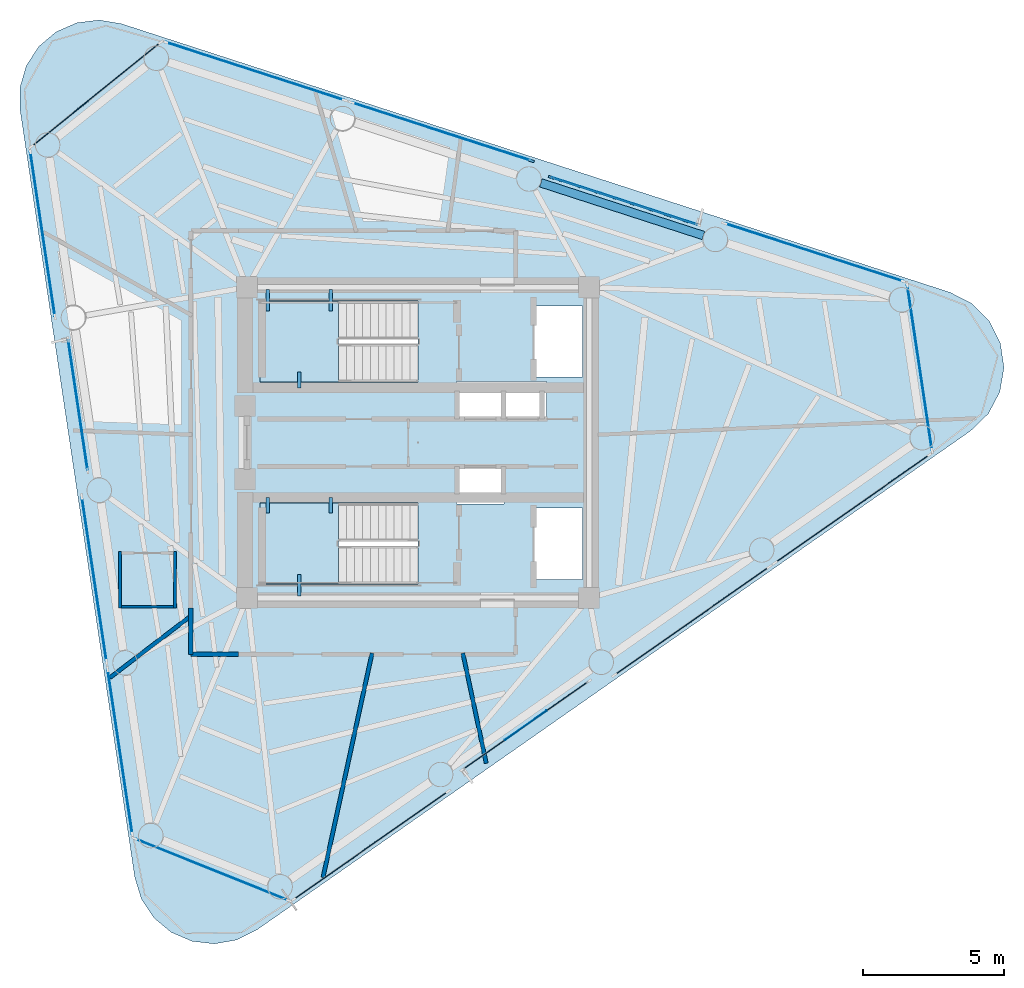
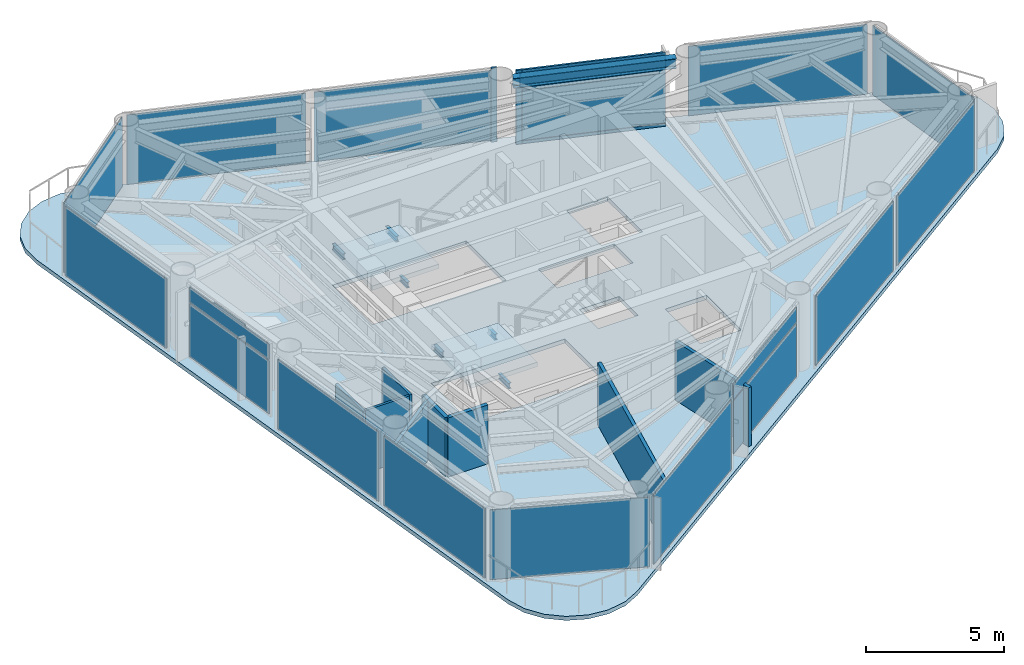
# One storey, part 4 of 9: 21 plates, 8 walls, 7 beams, 5 members, 3 slabs, 17 elements without a shape of their own.
"""IFC4 building model written with IfcOpenShell, lengths in metres."""

from ifc_helpers import new_model, si_unit, direction, frame, frame_2d, origin, origin_2d, place, context, subcontext, project, spatial, polyline, rectangle, i_section, outline, extrude, source, transform, mapped, material, layer, layer_set, material_profile, profile_set, type_object, element, aggregate, save


model = new_model("IFC4")

# Units and contexts
model_context = context("Model", 3, precision=1e-05, world=origin(), true_north=direction((0.0, 1.0)))
body_context = subcontext(model_context, "Body", "Model", "MODEL_VIEW")
ifc_project = project(units=[si_unit("LENGTHUNIT", "METRE"), si_unit("AREAUNIT", "SQUARE_METRE"), si_unit("VOLUMEUNIT", "CUBIC_METRE"), si_unit("PLANEANGLEUNIT", "RADIAN"), si_unit("MASSUNIT", "GRAM", prefix="KILO")], contexts=[model_context])

# Site, building, storey
site_placement = place(None, origin())
site = spatial("IfcSite", under=ifc_project, at=site_placement, CompositionType="ELEMENT")
building_placement = place(site_placement, origin())
building = spatial("IfcBuilding", under=site, at=building_placement, Name="Yunling Apex Tower", CompositionType="ELEMENT")
storey_placement = place(building_placement, frame((0.0, 0.0, 257.550048828125)))
storey = spatial("IfcBuildingStorey", under=building, at=storey_placement, Name="L62", CompositionType="ELEMENT", Elevation=257.550048828125)

# Beams
ifc_material_1 = material(Name="Steel Q355B", Category="steel")
ifc_material_profile_1 = material_profile(ifc_material_1, i_section(OverallWidth=0.125, OverallDepth=0.25, WebThickness=0.006103515625, FlangeThickness=0.009033203125, FilletRadius=0.011962890625, at=origin_2d()))
ifc_profile_set_1 = profile_set([ifc_material_profile_1], Name="Steel Q355B")
beam_type_1 = type_object("IfcBeamType", Name="BL-LNT-1", PredefinedType="LINTEL", material=ifc_profile_set_1)
shared_shape_1 = source(origin(), body_context, "Body", "SweptSolid", [
    extrude(i_section(OverallWidth=0.125, OverallDepth=0.25, WebThickness=0.006103515625, FlangeThickness=0.009033203125, FilletRadius=0.011962890625, at=origin_2d()), origin(), (0.0, 0.0, 1.0), 0.760009765625),
])
for number, where, z_axis, x_axis, name in (
    (1, (-5.320068359375, 5.419921875, 1.3798828125), (0.0, -1.0, 0.0), (1.0, 0.0, 0.0), "L62 ST-1 Landing Bearing Corbel 1-1"),
    (2, (-3.090087890625, 5.419921875, 1.3798828125), (0.0, -1.0, 0.0), (1.0, 0.0, 0.0), "L62 ST-1 Landing Bearing Corbel 1-2"),
    (3, (-4.205078125, -5.419921875, 1.3798828125), (0.0, 1.0, 0.0), (-1.0, 0.0, 0.0), "L62 ST-2 Landing Bearing Corbel 1-3"),
):
    element("IfcBeam", number, at=place(storey_placement, frame(where, z_axis=z_axis, x_axis=x_axis)), inside=storey, type_object=beam_type_1, Name=name, PredefinedType="LINTEL", context=body_context, shape_type="MappedRepresentation", body=[
        mapped(shared_shape_1, transform((0.0, 0.0, 0.0), scale=1.0)),
    ])
shared_shape_2 = source(origin(), body_context, "Body", "SweptSolid", [
    extrude(i_section(OverallWidth=0.125, OverallDepth=0.25, WebThickness=0.006103515625, FlangeThickness=0.009033203125, FilletRadius=0.011962890625, at=origin_2d()), origin(), (0.0, 0.0, 1.0), 0.550048828125),
])
for number, where, z_axis, x_axis, name in (
    (4, (-4.205078125, 1.93994140625, 1.3798828125), (0.0, 1.0, 0.0), (-1.0, 0.0, 0.0), "L62 ST-1 Landing Bearing Corbel 1-3"),
    (5, (-5.320068359375, -1.93994140625, 1.3798828125), (0.0, -1.0, 0.0), (1.0, 0.0, 0.0), "L62 ST-2 Landing Bearing Corbel 1-1"),
    (6, (-3.090087890625, -1.93994140625, 1.3798828125), (0.0, -1.0, 0.0), (1.0, 0.0, 0.0), "L62 ST-2 Landing Bearing Corbel 1-2"),
):
    element("IfcBeam", number, at=place(storey_placement, frame(where, z_axis=z_axis, x_axis=x_axis)), inside=storey, type_object=beam_type_1, Name=name, PredefinedType="LINTEL", context=body_context, shape_type="MappedRepresentation", body=[
        mapped(shared_shape_2, transform((0.0, 0.0, 0.0), scale=1.0)),
    ])
ifc_material_profile_2 = material_profile(ifc_material_1, i_section(OverallWidth=0.300048828125, OverallDepth=0.43994140625, WebThickness=0.010986328125, FlangeThickness=0.01806640625, FilletRadius=0.02197265625, at=origin_2d()))
ifc_profile_set_2 = profile_set([ifc_material_profile_2], Name="Steel Q355B")
beam_type_2 = type_object("IfcBeamType", Name="BP-SPN-3", PredefinedType="SPANDREL", material=ifc_profile_set_2)
shared_shape_3 = source(origin(), body_context, "Body", "SweptSolid", [
    extrude(i_section(OverallWidth=0.300048828125, OverallDepth=0.43994140625, WebThickness=0.010986328125, FlangeThickness=0.01806640625, FilletRadius=0.02197265625, at=origin_2d()), origin(), (0.0, 0.0, 1.0), 6.04345703125),
])
beam_placement = place(storey_placement, frame((10.09375, 7.326904296875, 3.0), z_axis=(-0.951272468705, 0.308351569289, 0.0), x_axis=(-0.308351569289, -0.951272468705, 0.0)))
element("IfcBeam", 7, at=beam_placement, inside=storey, type_object=beam_type_2, Name="L62 Perimeter Spandrel Beam 7", PredefinedType="SPANDREL", context=body_context, shape_type="MappedRepresentation", body=[
    mapped(shared_shape_3, transform((0.0, 0.0, 0.0), scale=1.0)),
])

# Curtain wall, member
ifc_material_2 = material(Name="Bronze anodised aluminium", Category="aluminium")
ifc_layer_1 = layer(ifc_material_2, 0.219970703125)
ifc_layer_set_1 = layer_set([ifc_layer_1], Name="Bronze anodised aluminium")
curtain_wall_type = type_object("IfcCurtainWallType", Name="CW-SYS-4", PredefinedType="NOTDEFINED", material=ifc_layer_set_1)
curtain_wall_1_placement = place(storey_placement, origin())
curtain_wall_1 = element("IfcCurtainWall", 8, at=curtain_wall_1_placement, inside=storey, type_object=curtain_wall_type, Name="CW-L62-F2-B2", PredefinedType="NOTDEFINED")
ifc_material_profile_3 = material_profile(ifc_material_2, rectangle(XDim=0.080078125, YDim=0.219970703125, at=origin_2d()))
ifc_profile_set_3 = profile_set([ifc_material_profile_3], Name="Bronze anodised aluminium")
member_type_1 = type_object("IfcMemberType", Name="CW-MUL-4", PredefinedType="MULLION", material=ifc_profile_set_3)
shared_shape_4 = source(origin(), body_context, "Body", "SweptSolid", [
    extrude(rectangle(XDim=0.080078125, YDim=0.219970703125, at=origin_2d()), origin(), (0.0, 0.0, 1.0), 3.320068359375),
])
member_1_placement = place(storey_placement, frame((4.71875, 9.384521484375, -0.050048828125), z_axis=(0.0, 0.0, 1.0), x_axis=(-0.30836941685, -0.951266683297, 0.0)))
member_1 = element("IfcMember", 9, at=member_1_placement, type_object=member_type_1, Name="CW-SYS-4 mullion 2", PredefinedType="MULLION", context=body_context, shape_type="MappedRepresentation", body=[
    mapped(shared_shape_4, transform((0.0, 0.0, 0.0), scale=1.0)),
])

curtain_wall_2_placement = place(storey_placement, origin())
curtain_wall_2 = element("IfcCurtainWall", 10, at=curtain_wall_2_placement, inside=storey, type_object=curtain_wall_type, Name="CW-L62-F2-B3", PredefinedType="NOTDEFINED")
member_2_placement = place(storey_placement, frame((4.00537109375, 9.97314453125, -0.050048828125), z_axis=(0.0, 0.0, 1.0), x_axis=(-0.308371076658, -0.95126614524, 0.0)))
member_2 = element("IfcMember", 11, at=member_2_placement, type_object=member_type_1, Name="CW-SYS-4 mullion 1", PredefinedType="MULLION", context=body_context, shape_type="MappedRepresentation", body=[
    mapped(shared_shape_4, transform((0.0, 0.0, 0.0), scale=1.0)),
])

# Member
ifc_material_profile_4 = material_profile(ifc_material_2, rectangle(XDim=0.080078125, YDim=0.169921875, at=origin_2d()))
ifc_profile_set_4 = profile_set([ifc_material_profile_4], Name="Bronze anodised aluminium")
member_type_2 = type_object("IfcMemberType", Name="CW-TRN-4", PredefinedType="USERDEFINED", material=ifc_profile_set_4)
shared_shape_5 = source(origin(), body_context, "Body", "SweptSolid", [
    extrude(rectangle(XDim=0.080078125, YDim=0.169921875, at=origin_2d()), origin(), (0.0, 0.0, 1.0), 5.3798828125),
])
member_3_placement = place(storey_placement, frame((9.87060546875, 7.71435546875, 0.0400390625), z_axis=(-0.951269238612, 0.308361534032, 0.0), x_axis=(-0.308361534032, -0.951269238612, 0.0)))
member_3 = element("IfcMember", 12, at=member_3_placement, type_object=member_type_2, Name="CW-SYS-4 transom 1.1", ObjectType="TRANSOM", PredefinedType="USERDEFINED", context=body_context, shape_type="MappedRepresentation", body=[
    mapped(shared_shape_5, transform((0.0, 0.0, 0.0), scale=1.0)),
])

member_4_placement = place(storey_placement, frame((9.87060546875, 7.71435546875, 2.447265625), z_axis=(-0.951269238612, 0.308361534032, 0.0), x_axis=(-0.308361534032, -0.951269238612, 0.0)))
member_4 = element("IfcMember", 13, at=member_4_placement, type_object=member_type_2, Name="CW-SYS-4 transom 1.2", ObjectType="TRANSOM", PredefinedType="USERDEFINED", context=body_context, shape_type="MappedRepresentation", body=[
    mapped(shared_shape_5, transform((0.0, 0.0, 0.0), scale=1.0)),
])

member_5_placement = place(storey_placement, frame((9.87060546875, 7.71435546875, 3.179931640625), z_axis=(-0.951269238612, 0.308361534032, 0.0), x_axis=(-0.308361534032, -0.951269238612, 0.0)))
member_5 = element("IfcMember", 14, at=member_5_placement, type_object=member_type_2, Name="CW-SYS-4 transom 1.3", ObjectType="TRANSOM", PredefinedType="USERDEFINED", context=body_context, shape_type="MappedRepresentation", body=[
    mapped(shared_shape_5, transform((0.0, 0.0, 0.0), scale=1.0)),
])

# Slab
ifc_material_3 = material(Name="Concrete C40", Category="concrete")
ifc_layer_2 = layer(ifc_material_3, 0.155029296875)
ifc_layer_set_2 = layer_set([ifc_layer_2], Name="Concrete C40")
slab_type_1 = type_object("IfcSlabType", Name="SL-FLR-3", PredefinedType="FLOOR", material=ifc_layer_set_2)
slab_1_placement = place(storey_placement, frame((0.0, 0.0, -0.179931640625)))
element("IfcSlab", 15, at=slab_1_placement, inside=storey, type_object=slab_type_1, Name="L62 Composite Tower Floor Slab", PredefinedType="FLOOR", context=body_context, shape_type="SweptSolid", body=[
    extrude(outline(polyline([(-10.026123046875, -15.378173828125), (-9.794189453125, -16.145263671875), (-9.352294921875, -16.81396484375), (-8.737548828125, -17.328125), (-8.001220703125, -17.64501953125), (-7.205078125, -17.7373046875), (-6.415771484375, -17.59814453125), (-5.69921875, -17.23876953125), (19.549072265625, 0.414306640625), (20.177490234375, 1.021728515625), (20.585205078125, 1.794921875), (20.731689453125, 2.656494140625), (20.6025390625, 3.52099609375), (20.21044921875, 4.302001953125), (19.594482421875, 4.922119140625), (18.81591796875, 5.3193359375), (-10.490478515625, 14.819091796875), (-11.280517578125, 14.95361328125), (-12.076171875, 14.855712890625), (-12.810302734375, 14.534423828125), (-13.422119140625, 14.016357421875), (-13.859619140625, 13.344970703125), (-14.086669921875, 12.576416015625), (-14.083984375, 11.77490234375), (-10.026123046875, -15.378173828125)]), holes=[polyline([(4.090087890625, 4.840087890625), (5.81005859375, 4.840087890625), (5.81005859375, 2.320068359375), (4.090087890625, 2.320068359375), (4.090087890625, 4.840087890625)]), polyline([(4.090087890625, -4.840087890625), (4.090087890625, -2.320068359375), (5.81005859375, -2.320068359375), (5.81005859375, -4.840087890625), (4.090087890625, -4.840087890625)]), polyline([(4.534912109375, 0.794921875), (1.364990234375, 0.794921875), (1.364990234375, 2.1650390625), (4.534912109375, 2.1650390625), (4.534912109375, 0.794921875)]), polyline([(1.364990234375, -0.794921875), (3.034912109375, -0.794921875), (3.034912109375, -2.1650390625), (1.364990234375, -2.1650390625), (1.364990234375, -0.794921875)]), polyline([(-0.010009765625, -5.010009765625), (-5.60009765625, -5.010009765625), (-5.60009765625, -2.139892578125), (-0.010009765625, -2.139892578125), (-0.010009765625, -5.010009765625)]), polyline([(-0.010009765625, 2.139892578125), (-5.60009765625, 2.139892578125), (-5.60009765625, 5.010009765625), (-0.010009765625, 5.010009765625), (-0.010009765625, 2.139892578125)])]), origin(), (0.0, 0.0, 1.0), 0.179931640625),
])

# Stair, slab
stair_type = type_object("IfcStairType", Name="ST-TWR-3", PredefinedType="HALF_TURN_STAIR", material=ifc_material_3)
stair_1_placement = place(storey_placement, origin())
stair_1 = element("IfcStair", 16, at=stair_1_placement, inside=storey, type_object=stair_type, Name="L62 North Core Smokeproof Exit Stair ST-1", PredefinedType="HALF_TURN_STAIR")
ifc_layer_3 = layer(ifc_material_3, 0.195068359375)
ifc_layer_set_3 = layer_set([ifc_layer_3], Name="Concrete C40")
slab_type_2 = type_object("IfcSlabType", Name="SL-LND-1", PredefinedType="LANDING", material=ifc_layer_set_3)
slab_2_placement = place(storey_placement, frame((0.0, 0.0, 1.5048828125)))
slab_2 = element("IfcSlab", 17, at=slab_2_placement, type_object=slab_type_2, Name="ST-1 landing 1", PredefinedType="LANDING", context=body_context, shape_type="SweptSolid", body=[
    extrude(outline(polyline([(-2.81005859375, 5.010009765625), (-5.60009765625, 5.010009765625), (-5.60009765625, 2.139892578125), (-2.81005859375, 2.139892578125), (-2.81005859375, 5.010009765625)])), origin(), (0.0, 0.0, 1.0), 0.195068359375),
])
aggregate(stair_1, [slab_2])

stair_2_placement = place(storey_placement, origin())
stair_2 = element("IfcStair", 18, at=stair_2_placement, inside=storey, type_object=stair_type, Name="L62 South Core Smokeproof Exit Stair ST-2", PredefinedType="HALF_TURN_STAIR")
slab_3_placement = place(storey_placement, frame((0.0, 0.0, 1.5048828125)))
slab_3 = element("IfcSlab", 19, at=slab_3_placement, type_object=slab_type_2, Name="ST-2 landing 1", PredefinedType="LANDING", context=body_context, shape_type="SweptSolid", body=[
    extrude(outline(polyline([(-2.81005859375, -2.139892578125), (-5.60009765625, -2.139892578125), (-5.60009765625, -5.010009765625), (-2.81005859375, -5.010009765625), (-2.81005859375, -2.139892578125)])), origin(), (0.0, 0.0, 1.0), 0.195068359375),
])
aggregate(stair_2, [slab_3])

# Plates
ifc_layer_4 = layer(ifc_material_2, 0.011962890625)
ifc_layer_set_4 = layer_set([ifc_layer_4], Name="Bronze anodised aluminium")
plate_type_1 = type_object("IfcPlateType", Name="SP-SHT-1", PredefinedType="SHEET", material=ifc_layer_set_4)
shared_shape_6 = source(origin(), body_context, "Body", "SweptSolid", [
    extrude(rectangle(XDim=1.800048828125, YDim=0.02392578125, at=origin_2d()), origin(), (0.0, 0.0, 1.0), 0.43994140625),
])
for number, where, z_axis, x_axis, name in (
    (20, (3.809326171875, -10.0048828125, 2.820068359375), (0.0, 0.0, 1.0), (0.819552276527, 0.573004420611, 0.0), "SP-GRV-L62-F1"),
    (21, (7.311767578125, 8.5439453125, 2.820068359375), (0.0, 0.0, 1.0), (-0.951272019071, 0.30835295642, 0.0), "SP-GRV-L62-F2"),
    (22, (-12.036865234375, 1.323974609375, 2.820068359375), (0.0, 0.0, 1.0), (0.14780941113, -0.989015863362, 0.0), "SP-GRV-L62-F3"),
):
    element("IfcPlate", number, at=place(storey_placement, frame(where, z_axis=z_axis, x_axis=x_axis)), inside=storey, type_object=plate_type_1, Name=name, PredefinedType="SHEET", context=body_context, shape_type="MappedRepresentation", body=[
        mapped(shared_shape_6, transform((0.0, 0.0, 0.0), scale=1.0)),
    ])

# Curtain wall, plate
curtain_wall_3_placement = place(storey_placement, origin())
curtain_wall_3 = element("IfcCurtainWall", 23, at=curtain_wall_3_placement, inside=storey, type_object=curtain_wall_type, Name="CW-L62-F1-B1", PredefinedType="NOTDEFINED")
ifc_material_4 = material(Name="Bronze tinted low-E glass", Category="glass")
ifc_layer_5 = layer(ifc_material_4, 0.030029296875)
ifc_layer_set_5 = layer_set([ifc_layer_5], Name="Bronze tinted low-E glass")
plate_type_2 = type_object("IfcPlateType", Name="CW-PNL-4", PredefinedType="CURTAIN_PANEL", material=ifc_layer_set_5)
shared_shape_7 = source(origin(), body_context, "Body", "SweptSolid", [
    extrude(rectangle(XDim=6.627685546875, YDim=0.030029296875, at=origin_2d()), origin(), (0.0, 0.0, 1.0), 3.075927734375),
])
plate_1_placement = place(storey_placement, frame((-1.6767578125, -14.25537109375, 0.07177734375), z_axis=(0.0, 0.0, 1.0), x_axis=(0.819555084976, 0.573000403744, 0.0)))
plate_1 = element("IfcPlate", 24, at=plate_1_placement, type_object=plate_type_2, Name="CW-SYS-4 panel 1.1", PredefinedType="CURTAIN_PANEL", context=body_context, shape_type="MappedRepresentation", body=[
    mapped(shared_shape_7, transform((0.0, 0.0, 0.0), scale=1.0)),
])
aggregate(curtain_wall_3, [plate_1])

curtain_wall_4_placement = place(storey_placement, origin())
curtain_wall_4 = element("IfcCurtainWall", 25, at=curtain_wall_4_placement, inside=storey, type_object=curtain_wall_type, Name="CW-L62-F1-B3", PredefinedType="NOTDEFINED")
plate_2_placement = place(storey_placement, frame((9.68505859375, -6.3115234375, 0.07177734375), z_axis=(0.0, 0.0, 1.0), x_axis=(0.81954815017, 0.573010322379, 0.0)))
plate_2 = element("IfcPlate", 26, at=plate_2_placement, type_object=plate_type_2, Name="CW-SYS-4 panel 1.1", PredefinedType="CURTAIN_PANEL", context=body_context, shape_type="MappedRepresentation", body=[
    mapped(shared_shape_7, transform((0.0, 0.0, 0.0), scale=1.0)),
])
aggregate(curtain_wall_4, [plate_2])

curtain_wall_5_placement = place(storey_placement, origin())
curtain_wall_5 = element("IfcCurtainWall", 27, at=curtain_wall_5_placement, inside=storey, type_object=curtain_wall_type, Name="CW-L62-F1-B4", PredefinedType="NOTDEFINED")
plate_3_placement = place(storey_placement, frame((15.365966796875, -2.339599609375, 0.07177734375), z_axis=(0.0, 0.0, 1.0), x_axis=(0.819555084976, 0.573000403744, 0.0)))
plate_3 = element("IfcPlate", 28, at=plate_3_placement, type_object=plate_type_2, Name="CW-SYS-4 panel 1.1", PredefinedType="CURTAIN_PANEL", context=body_context, shape_type="MappedRepresentation", body=[
    mapped(shared_shape_7, transform((0.0, 0.0, 0.0), scale=1.0)),
])
aggregate(curtain_wall_5, [plate_3])

curtain_wall_6_placement = place(storey_placement, origin())
curtain_wall_6 = element("IfcCurtainWall", 29, at=curtain_wall_6_placement, inside=storey, type_object=curtain_wall_type, Name="CW-L62-F2-B1", PredefinedType="NOTDEFINED")
plate_4_placement = place(storey_placement, frame((14.010498046875, 6.72998046875, 0.07177734375), z_axis=(0.0, 0.0, 1.0), x_axis=(-0.951271881173, 0.308353381834, 0.0)))
plate_4 = element("IfcPlate", 30, at=plate_4_placement, type_object=plate_type_2, Name="CW-SYS-4 panel 1.1", PredefinedType="CURTAIN_PANEL", context=body_context, shape_type="MappedRepresentation", body=[
    mapped(shared_shape_7, transform((0.0, 0.0, 0.0), scale=1.0)),
])
aggregate(curtain_wall_6, [plate_4])

# Plate
plate_5_placement = place(storey_placement, frame((0.82275390625, 11.0048828125, 0.07177734375), z_axis=(0.0, 0.0, 1.0), x_axis=(-0.95126614524, 0.308371076658, 0.0)))
plate_5 = element("IfcPlate", 31, at=plate_5_placement, type_object=plate_type_2, Name="CW-SYS-4 panel 1.1", PredefinedType="CURTAIN_PANEL", context=body_context, shape_type="MappedRepresentation", body=[
    mapped(shared_shape_7, transform((0.0, 0.0, 0.0), scale=1.0)),
])

aggregate(curtain_wall_2, [member_2, plate_5])

# Curtain wall, plate
curtain_wall_7_placement = place(storey_placement, origin())
curtain_wall_7 = element("IfcCurtainWall", 32, at=curtain_wall_7_placement, inside=storey, type_object=curtain_wall_type, Name="CW-L62-F2-B4", PredefinedType="NOTDEFINED")
plate_6_placement = place(storey_placement, frame((-5.771240234375, 13.142333984375, 0.07177734375), z_axis=(0.0, 0.0, 1.0), x_axis=(-0.951271881173, 0.308353381834, 0.0)))
plate_6 = element("IfcPlate", 33, at=plate_6_placement, type_object=plate_type_2, Name="CW-SYS-4 panel 1.1", PredefinedType="CURTAIN_PANEL", context=body_context, shape_type="MappedRepresentation", body=[
    mapped(shared_shape_7, transform((0.0, 0.0, 0.0), scale=1.0)),
])
aggregate(curtain_wall_7, [plate_6])

curtain_wall_8_placement = place(storey_placement, origin())
curtain_wall_8 = element("IfcCurtainWall", 34, at=curtain_wall_8_placement, inside=storey, type_object=curtain_wall_type, Name="CW-L62-F1-B2", PredefinedType="NOTDEFINED")
shared_shape_8 = source(origin(), body_context, "Body", "SweptSolid", [
    extrude(rectangle(XDim=5.3876953125, YDim=0.030029296875, at=origin_2d()), origin(), (0.0, 0.0, 1.0), 2.34326171875),
])
plate_7_placement = place(storey_placement, frame((3.809326171875, -10.0048828125, 0.072021484375), z_axis=(0.0, 0.0, 1.0), x_axis=(0.819556211708, 0.57299879219, 0.0)))
plate_7 = element("IfcPlate", 35, at=plate_7_placement, type_object=plate_type_2, Name="CW-SYS-4 panel 1.1", PredefinedType="CURTAIN_PANEL", context=body_context, shape_type="MappedRepresentation", body=[
    mapped(shared_shape_8, transform((0.0, 0.0, 0.0), scale=1.0)),
])

# Plate
plate_8_placement = place(storey_placement, frame((7.311767578125, 8.5439453125, 0.072021484375), z_axis=(0.0, 0.0, 1.0), x_axis=(-0.951266683297, 0.30836941685, 0.0)))
plate_8 = element("IfcPlate", 36, at=plate_8_placement, type_object=plate_type_2, Name="CW-SYS-4 panel 1.1", PredefinedType="CURTAIN_PANEL", context=body_context, shape_type="MappedRepresentation", body=[
    mapped(shared_shape_8, transform((0.0, 0.0, 0.0), scale=1.0)),
])

shared_shape_9 = source(origin(), body_context, "Body", "SweptSolid", [
    extrude(rectangle(XDim=5.3876953125, YDim=0.030029296875, at=origin_2d()), origin(), (0.0, 0.0, 1.0), 0.668701171875),
])
plate_9_placement = place(storey_placement, frame((3.809326171875, -10.0048828125, 2.47900390625), z_axis=(0.0, 0.0, 1.0), x_axis=(0.819556211708, 0.57299879219, 0.0)))
plate_9 = element("IfcPlate", 37, at=plate_9_placement, type_object=plate_type_2, Name="CW-SYS-4 panel 1.2", PredefinedType="CURTAIN_PANEL", context=body_context, shape_type="MappedRepresentation", body=[
    mapped(shared_shape_9, transform((0.0, 0.0, 0.0), scale=1.0)),
])

aggregate(curtain_wall_8, [plate_7, plate_9])

plate_10_placement = place(storey_placement, frame((7.311767578125, 8.5439453125, 2.47900390625), z_axis=(0.0, 0.0, 1.0), x_axis=(-0.951266683297, 0.30836941685, 0.0)))
plate_10 = element("IfcPlate", 38, at=plate_10_placement, type_object=plate_type_2, Name="CW-SYS-4 panel 1.2", PredefinedType="CURTAIN_PANEL", context=body_context, shape_type="MappedRepresentation", body=[
    mapped(shared_shape_9, transform((0.0, 0.0, 0.0), scale=1.0)),
])

aggregate(curtain_wall_1, [member_1, member_3, member_4, member_5, plate_8, plate_10])

# Curtain wall, plate
curtain_wall_9_placement = place(storey_placement, origin())
curtain_wall_9 = element("IfcCurtainWall", 39, at=curtain_wall_9_placement, inside=storey, type_object=curtain_wall_type, Name="CW-L62-CRN1", PredefinedType="NOTDEFINED")
shared_shape_10 = source(origin(), body_context, "Body", "SweptSolid", [
    extrude(rectangle(XDim=5.90185546875, YDim=0.030029296875, at=origin_2d()), origin(), (0.0, 0.0, 1.0), 3.075927734375),
])
plate_11_placement = place(storey_placement, frame((17.748291015625, 2.65234375, 0.07177734375), z_axis=(0.0, 0.0, 1.0), x_axis=(-0.147802573571, 0.989016885218, 0.0)))
plate_11 = element("IfcPlate", 40, at=plate_11_placement, type_object=plate_type_2, Name="CW-SYS-4 panel 1.1", PredefinedType="CURTAIN_PANEL", context=body_context, shape_type="MappedRepresentation", body=[
    mapped(shared_shape_10, transform((0.0, 0.0, 0.0), scale=1.0)),
])
aggregate(curtain_wall_9, [plate_11])

curtain_wall_10_placement = place(storey_placement, origin())
curtain_wall_10 = element("IfcCurtainWall", 41, at=curtain_wall_10_placement, inside=storey, type_object=curtain_wall_type, Name="CW-L62-CRN2", PredefinedType="NOTDEFINED")
shared_shape_11 = source(origin(), body_context, "Body", "SweptSolid", [
    extrude(rectangle(XDim=5.829345703125, YDim=0.030029296875, at=origin_2d()), origin(), (0.0, 0.0, 1.0), 3.075927734375),
])
plate_12_placement = place(storey_placement, frame((-11.398681640625, 12.31640625, 0.07177734375), z_axis=(0.0, 0.0, 1.0), x_axis=(-0.778222477019, -0.627988675266, 0.0)))
plate_12 = element("IfcPlate", 42, at=plate_12_placement, type_object=plate_type_2, Name="CW-SYS-4 panel 1.1", PredefinedType="CURTAIN_PANEL", context=body_context, shape_type="MappedRepresentation", body=[
    mapped(shared_shape_11, transform((0.0, 0.0, 0.0), scale=1.0)),
])
aggregate(curtain_wall_10, [plate_12])

curtain_wall_11_placement = place(storey_placement, origin())
curtain_wall_11 = element("IfcCurtainWall", 43, at=curtain_wall_11_placement, inside=storey, type_object=curtain_wall_type, Name="CW-L62-CRN3", PredefinedType="NOTDEFINED")
plate_13_placement = place(storey_placement, frame((-7.2998046875, -15.11083984375, 0.07177734375), z_axis=(0.0, 0.0, 1.0), x_axis=(0.927827569859, -0.373009384078, 0.0)))
plate_13 = element("IfcPlate", 44, at=plate_13_placement, type_object=plate_type_2, Name="CW-SYS-4 panel 1.1", PredefinedType="CURTAIN_PANEL", context=body_context, shape_type="MappedRepresentation", body=[
    mapped(shared_shape_11, transform((0.0, 0.0, 0.0), scale=1.0)),
])
aggregate(curtain_wall_11, [plate_13])

curtain_wall_12_placement = place(storey_placement, origin())
curtain_wall_12 = element("IfcCurtainWall", 45, at=curtain_wall_12_placement, inside=storey, type_object=curtain_wall_type, Name="CW-L62-F3-B1", PredefinedType="NOTDEFINED")
shared_shape_12 = source(origin(), body_context, "Body", "SweptSolid", [
    extrude(rectangle(XDim=5.873291015625, YDim=0.030029296875, at=origin_2d()), origin(), (0.0, 0.0, 1.0), 3.075927734375),
])
plate_14_placement = place(storey_placement, frame((-13.2861328125, 7.38330078125, 0.07177734375), z_axis=(0.0, 0.0, 1.0), x_axis=(0.147807330522, -0.989016174309, 0.0)))
plate_14 = element("IfcPlate", 46, at=plate_14_placement, type_object=plate_type_2, Name="CW-SYS-4 panel 1.1", PredefinedType="CURTAIN_PANEL", context=body_context, shape_type="MappedRepresentation", body=[
    mapped(shared_shape_12, transform((0.0, 0.0, 0.0), scale=1.0)),
])
aggregate(curtain_wall_12, [plate_14])

curtain_wall_13_placement = place(storey_placement, origin())
curtain_wall_13 = element("IfcCurtainWall", 47, at=curtain_wall_13_placement, inside=storey, type_object=curtain_wall_type, Name="CW-L62-F3-B3", PredefinedType="NOTDEFINED")
plate_15_placement = place(storey_placement, frame((-11.460205078125, -4.835693359375, 0.07177734375), z_axis=(0.0, 0.0, 1.0), x_axis=(0.147807330522, -0.989016174309, 0.0)))
plate_15 = element("IfcPlate", 48, at=plate_15_placement, type_object=plate_type_2, Name="CW-SYS-4 panel 1.1", PredefinedType="CURTAIN_PANEL", context=body_context, shape_type="MappedRepresentation", body=[
    mapped(shared_shape_12, transform((0.0, 0.0, 0.0), scale=1.0)),
])
aggregate(curtain_wall_13, [plate_15])

curtain_wall_14_placement = place(storey_placement, origin())
curtain_wall_14 = element("IfcCurtainWall", 49, at=curtain_wall_14_placement, inside=storey, type_object=curtain_wall_type, Name="CW-L62-F3-B4", PredefinedType="NOTDEFINED")
plate_16_placement = place(storey_placement, frame((-10.547119140625, -10.945068359375, 0.07177734375), z_axis=(0.0, 0.0, 1.0), x_axis=(0.147791074763, -0.989018603576, 0.0)))
plate_16 = element("IfcPlate", 50, at=plate_16_placement, type_object=plate_type_2, Name="CW-SYS-4 panel 1.1", PredefinedType="CURTAIN_PANEL", context=body_context, shape_type="MappedRepresentation", body=[
    mapped(shared_shape_12, transform((0.0, 0.0, 0.0), scale=1.0)),
])
aggregate(curtain_wall_14, [plate_16])

# Curtain wall, plates
curtain_wall_15_placement = place(storey_placement, origin())
curtain_wall_15 = element("IfcCurtainWall", 51, at=curtain_wall_15_placement, inside=storey, type_object=curtain_wall_type, Name="CW-L62-F3-B2", PredefinedType="NOTDEFINED")
shared_shape_13 = source(origin(), body_context, "Body", "SweptSolid", [
    extrude(rectangle(XDim=4.63330078125, YDim=0.030029296875, at=origin_2d()), origin(), (0.0, 0.0, 1.0), 2.34326171875),
])
plate_17_placement = place(storey_placement, frame((-12.036865234375, 1.323974609375, 0.072021484375), z_axis=(0.0, 0.0, 1.0), x_axis=(0.147804068926, -0.989016661745, 0.0)))
plate_17 = element("IfcPlate", 52, at=plate_17_placement, type_object=plate_type_2, Name="CW-SYS-4 panel 1.1", PredefinedType="CURTAIN_PANEL", context=body_context, shape_type="MappedRepresentation", body=[
    mapped(shared_shape_13, transform((0.0, 0.0, 0.0), scale=1.0)),
])
shared_shape_14 = source(origin(), body_context, "Body", "SweptSolid", [
    extrude(rectangle(XDim=4.63330078125, YDim=0.030029296875, at=origin_2d()), origin(), (0.0, 0.0, 1.0), 0.668701171875),
])
plate_18_placement = place(storey_placement, frame((-12.036865234375, 1.323974609375, 2.47900390625), z_axis=(0.0, 0.0, 1.0), x_axis=(0.147804068926, -0.989016661745, 0.0)))
plate_18 = element("IfcPlate", 53, at=plate_18_placement, type_object=plate_type_2, Name="CW-SYS-4 panel 1.2", PredefinedType="CURTAIN_PANEL", context=body_context, shape_type="MappedRepresentation", body=[
    mapped(shared_shape_14, transform((0.0, 0.0, 0.0), scale=1.0)),
])
aggregate(curtain_wall_15, [plate_17, plate_18])

# Walls
ifc_material_5 = material(Name="Gypsum board acoustic partition")
ifc_layer_6 = layer(ifc_material_5, 0.159912109375)
ifc_layer_set_6 = layer_set([ifc_layer_6], Name="Gypsum board acoustic partition")
wall_type_1 = type_object("IfcWallType", Name="WL-PRT-1", PredefinedType="PARTITIONING", material=ifc_layer_set_6)
wall_1_placement = place(storey_placement, frame((-6.360107421875, -7.489990234375, 0.0), z_axis=(0.0, 0.0, 1.0), x_axis=(-1.0, 0.0, 0.0)))
element("IfcWall", 54, at=wall_1_placement, inside=storey, type_object=wall_type_1, Name="WL-CORR-L62-07", PredefinedType="PARTITIONING", context=body_context, shape_type="SweptSolid", body=[
    extrude(rectangle(XDim=1.679931640625, YDim=0.159912109375, at=frame_2d((0.83984375, 0.0))), origin(), (0.0, 0.0, 1.0), 2.60498046875),
])
wall_2_placement = place(storey_placement, frame((-8.0400390625, -7.489990234375, 0.0), z_axis=(0.0, 0.0, 1.0), x_axis=(0.0, 1.0, 0.0)))
element("IfcWall", 55, at=wall_2_placement, inside=storey, type_object=wall_type_1, Name="WL-CORR-L62-08", PredefinedType="PARTITIONING", context=body_context, shape_type="SweptSolid", body=[
    extrude(rectangle(XDim=1.639892578125, YDim=0.159912109375, at=frame_2d((0.81982421875, 0.0))), origin(), (0.0, 0.0, 1.0), 2.60498046875),
])
ifc_layer_7 = layer(ifc_material_5, 0.139892578125)
ifc_layer_set_7 = layer_set([ifc_layer_7], Name="Gypsum board acoustic partition")
wall_type_2 = type_object("IfcWallType", Name="WL-PRT-2", PredefinedType="PARTITIONING", material=ifc_layer_set_7)
wall_3_placement = place(storey_placement, frame((-8.0, -6.101806640625, 0.0), z_axis=(0.0, 0.0, 1.0), x_axis=(-0.795138118829, -0.606428373335, 0.0)))
element("IfcWall", 56, at=wall_3_placement, inside=storey, type_object=wall_type_2, Name="WL-RAD-L62-06", PredefinedType="PARTITIONING", context=body_context, shape_type="SweptSolid", body=[
    extrude(rectangle(XDim=3.64697265625, YDim=0.139892578125, at=frame_2d((1.823486328125, 0.0))), origin(), (0.0, 0.0, 1.0), 2.60498046875),
])
wall_4_placement = place(storey_placement, frame((-1.62890625, -7.449951171875, 0.0), z_axis=(0.0, 0.0, 1.0), x_axis=(-0.213607255038, -0.976919618287, 0.0)))
element("IfcWall", 57, at=wall_4_placement, inside=storey, type_object=wall_type_2, Name="WL-RAD-L62-07", PredefinedType="PARTITIONING", context=body_context, shape_type="SweptSolid", body=[
    extrude(rectangle(XDim=8.1240234375, YDim=0.139892578125, at=frame_2d((4.06201171875, 0.0))), origin(), (0.0, 0.0, 1.0), 2.764892578125),
])
wall_5_placement = place(storey_placement, frame((1.58349609375, -7.449951171875, 0.0), z_axis=(0.0, 0.0, 1.0), x_axis=(0.207930561362, -0.978143589485, 0.0)))
element("IfcWall", 58, at=wall_5_placement, inside=storey, type_object=wall_type_2, Name="WL-RAD-L62-08", PredefinedType="PARTITIONING", context=body_context, shape_type="SweptSolid", body=[
    extrude(rectangle(XDim=3.985107421875, YDim=0.139892578125, at=frame_2d((1.99267578125, 0.0))), origin(), (0.0, 0.0, 1.0), 2.60498046875),
])
ifc_layer_8 = layer(ifc_material_5, 0.10009765625)
ifc_layer_set_8 = layer_set([ifc_layer_8], Name="Gypsum board acoustic partition")
wall_type_3 = type_object("IfcWallType", Name="WL-PRT-4", PredefinedType="PARTITIONING", material=ifc_layer_set_8)
wall_6_placement = place(storey_placement, frame((-8.552978515625, -5.806884765625, 0.0), z_axis=(0.0, 0.0, 1.0), x_axis=(-1.0, 0.0, 0.0)))
element("IfcWall", 59, at=wall_6_placement, inside=storey, type_object=wall_type_3, Name="WL-L62-RWC1S", PredefinedType="PARTITIONING", context=body_context, shape_type="SweptSolid", body=[
    extrude(rectangle(XDim=2.050048828125, YDim=0.10009765625, at=frame_2d((1.02490234375, 0.0))), origin(), (0.0, 0.0, 1.0), 2.764892578125),
])
wall_7_placement = place(storey_placement, frame((-8.60302734375, -3.85693359375, 0.0), z_axis=(0.0, 0.0, 1.0), x_axis=(0.0, -1.0, 0.0)))
element("IfcWall", 60, at=wall_7_placement, inside=storey, type_object=wall_type_3, Name="WL-L62-RWC1E", PredefinedType="PARTITIONING", context=body_context, shape_type="SweptSolid", body=[
    extrude(rectangle(XDim=2.0, YDim=0.10009765625, at=frame_2d((1.0, 0.0))), origin(), (0.0, 0.0, 1.0), 2.804931640625),
])
wall_8_placement = place(storey_placement, frame((-10.552978515625, -5.85693359375, 0.0), z_axis=(0.0, 0.0, 1.0), x_axis=(0.0, 1.0, 0.0)))
element("IfcWall", 61, at=wall_8_placement, inside=storey, type_object=wall_type_3, Name="WL-L62-RWC1W", PredefinedType="PARTITIONING", context=body_context, shape_type="SweptSolid", body=[
    extrude(rectangle(XDim=2.0, YDim=0.10009765625, at=frame_2d((1.0, 0.0))), origin(), (0.0, 0.0, 1.0), 2.764892578125),
])

save(model, "model.ifc")
